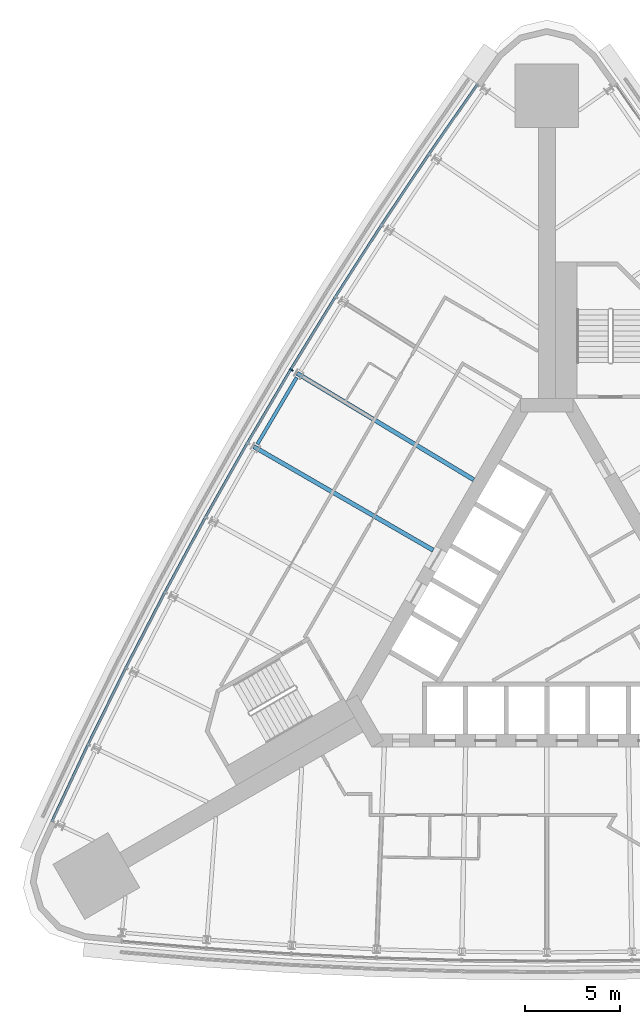
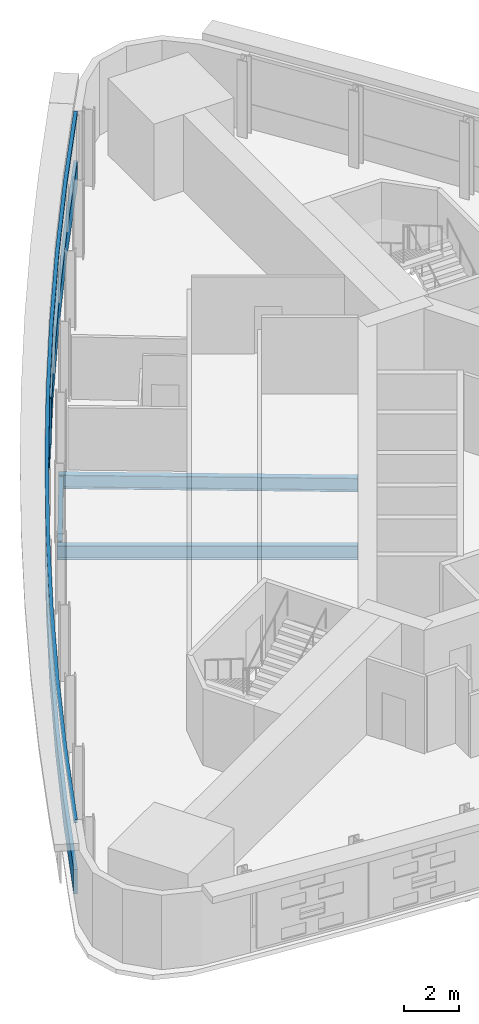
# One storey, part 5 of 14: 3 beams, 3 members, 1 element without a shape of its own.
"""IFC4 building model written with IfcOpenShell, lengths in metres."""

from ifc_helpers import new_model, si_unit, direction, frame, origin, origin_2d, place, context, subcontext, project, spatial, polyline, rectangle, i_section, outline, extrude, material, material_profile, profile_set, type_object, element, aggregate, save


model = new_model("IFC4")

# Units and contexts
model_context = context("Model", 3, precision=1e-05, world=origin(), true_north=direction((0.0, 1.0)))
body_context = subcontext(model_context, "Body", "Model", "MODEL_VIEW")
ifc_project = project(units=[si_unit("LENGTHUNIT", "METRE"), si_unit("AREAUNIT", "SQUARE_METRE"), si_unit("VOLUMEUNIT", "CUBIC_METRE"), si_unit("PLANEANGLEUNIT", "RADIAN"), si_unit("MASSUNIT", "GRAM", prefix="KILO")], contexts=[model_context])

# Site, building, storey
site_placement = place(None, origin())
site = spatial("IfcSite", under=ifc_project, at=site_placement, CompositionType="ELEMENT")
building_placement = place(site_placement, origin())
building = spatial("IfcBuilding", under=site, at=building_placement, Name="Noor Cloister Tower", CompositionType="ELEMENT")
storey_placement = place(building_placement, frame((0.0, 0.0, 34.800048828125)))
storey = spatial("IfcBuildingStorey", under=building, at=storey_placement, Name="L08", CompositionType="ELEMENT", Elevation=34.800048828125)

# Curtain wall, members
ifc_material_1 = material(Name="Aluminium 6063-T6 anodised", Category="aluminium")
curtain_wall_type = type_object("IfcCurtainWallType", Name="Ribbon curtain wall, lower tower CW1", PredefinedType="NOTDEFINED", material=ifc_material_1)
curtain_wall_placement = place(storey_placement, origin())
curtain_wall = element("IfcCurtainWall", 1, at=curtain_wall_placement, inside=storey, type_object=curtain_wall_type, Name="CW1 L08 NW run 1", PredefinedType="NOTDEFINED")
ifc_material_2 = material(Name="Aluminium 6063-T6 anodised", Category="aluminium")
member_type_1 = type_object("IfcMemberType", Name="Head transom CW1 150", PredefinedType="USERDEFINED", material=ifc_material_2)
member_1_placement = place(storey_placement, frame((0.0, 0.0, 3.14990234375)))
member_1 = element("IfcMember", 2, at=member_1_placement, type_object=member_type_1, Name="CW1 head transom", ObjectType="TRANSOM", PredefinedType="USERDEFINED", context=body_context, shape_type="SweptSolid", body=[
    extrude(outline(polyline([(-3.708984375, 28.084228515625), (-6.279052734375, 24.390380859375), (-8.779296875, 20.64892578125), (-11.209228515625, 16.861572265625), (-13.56787109375, 13.029296875), (-15.854248046875, 9.1533203125), (-18.067626953125, 5.2353515625), (-20.207275390625, 1.27685546875), (-22.272216796875, -2.721435546875), (-24.26220703125, -6.75732421875), (-26.176025390625, -10.830078125), (-26.04931640625, -10.8896484375), (-24.135986328125, -6.818115234375), (-22.147216796875, -2.784423828125), (-20.08349609375, 1.21142578125), (-17.945068359375, 5.167724609375), (-15.73291015625, 9.08349609375), (-13.447998046875, 12.95703125), (-11.0908203125, 16.787109375), (-8.662353515625, 20.572265625), (-6.163330078125, 24.3115234375), (-3.593994140625, 28.004150390625), (-3.708984375, 28.084228515625)])), origin(), (0.0, 0.0, 1.0), 0.150146484375),
])
ifc_material_3 = material(Name="Aluminium 6063-T6 anodised", Category="aluminium")
ifc_material_profile_1 = material_profile(ifc_material_3, rectangle(XDim=0.199951171875, YDim=0.080078125, at=origin_2d()), Name="200 x 80 mullion")
ifc_profile_set_1 = profile_set([ifc_material_profile_1], Name="Aluminium 6063-T6 anodised")
member_type_2 = type_object("IfcMemberType", Name="Mullion CW1 80 x 200", PredefinedType="MULLION", material=ifc_profile_set_1)
member_2_placement = place(storey_placement, frame((-13.482177734375, 12.9775390625, 1.099853515625), z_axis=(0.0, 0.0, 1.0), x_axis=(0.856510382098, -0.51612979507, 0.0)))
member_2 = element("IfcMember", 3, at=member_2_placement, type_object=member_type_2, Name="CW1 mullion 5", PredefinedType="MULLION", context=body_context, shape_type="SweptSolid", body=[
    extrude(rectangle(XDim=0.199951171875, YDim=0.080078125, at=origin_2d()), origin(), (0.0, 0.0, 1.0), 2.050048828125),
])

# Beams
ifc_material_4 = material(Name="Steel ASTM A992 Gr 50", Category="steel")
ifc_material_profile_2 = material_profile(ifc_material_4, i_section(OverallWidth=0.22900390625, OverallDepth=0.612060546875, WebThickness=0.011962890625, FlangeThickness=0.01953125, FilletRadius=0.0126953125, at=origin_2d()), Name="W610x125")
ifc_profile_set_2 = profile_set([ifc_material_profile_2], Name="Steel ASTM A992 Gr 50")
beam_type_1 = type_object("IfcBeamType", Name="Radial beam W610x125", PredefinedType="BEAM", material=ifc_profile_set_2)
beam_1_placement = place(storey_placement, frame((-13.1796875, 12.79541015625, -0.506103515625), z_axis=(0.856505836488, -0.516137338372, 0.0), x_axis=(0.516137338372, 0.856505836488, 0.0)))
element("IfcBeam", 4, at=beam_1_placement, inside=storey, type_object=beam_type_1, Name="Radial beam NW 05 L08", PredefinedType="BEAM", context=body_context, shape_type="SweptSolid", body=[
    extrude(i_section(OverallWidth=0.22900390625, OverallDepth=0.612060546875, WebThickness=0.011962890625, FlangeThickness=0.01953125, FilletRadius=0.0126953125, at=origin_2d()), origin(), (0.0, 0.0, 1.0), 10.885498046875),
])
beam_2_placement = place(storey_placement, frame((-15.4619140625, 8.927001953125, -0.506103515625), z_axis=(0.866023343127, -0.500003569146, 0.0), x_axis=(0.500003569146, 0.866023343127, 0.0)))
element("IfcBeam", 5, at=beam_2_placement, inside=storey, type_object=beam_type_1, Name="Radial beam NW 06 L08", PredefinedType="BEAM", context=body_context, shape_type="SweptSolid", body=[
    extrude(i_section(OverallWidth=0.22900390625, OverallDepth=0.612060546875, WebThickness=0.011962890625, FlangeThickness=0.01953125, FilletRadius=0.0126953125, at=origin_2d()), origin(), (0.0, 0.0, 1.0), 10.92578125),
])

# Member
ifc_material_5 = material(Name="Aluminium 6063-T6 anodised", Category="aluminium")
member_type_3 = type_object("IfcMemberType", Name="Sill transom CW1 1100", PredefinedType="USERDEFINED", material=ifc_material_5)
member_3_placement = place(storey_placement, origin())
member_3 = element("IfcMember", 6, at=member_3_placement, type_object=member_type_3, Name="CW1 sill transom", ObjectType="TRANSOM", PredefinedType="USERDEFINED", context=body_context, shape_type="SweptSolid", body=[
    extrude(outline(polyline([(-3.708984375, 28.084228515625), (-6.279052734375, 24.390380859375), (-8.779296875, 20.64892578125), (-11.209228515625, 16.861572265625), (-13.56787109375, 13.029296875), (-15.854248046875, 9.1533203125), (-18.067626953125, 5.2353515625), (-20.207275390625, 1.27685546875), (-22.272216796875, -2.721435546875), (-24.26220703125, -6.75732421875), (-26.176025390625, -10.830078125), (-26.04931640625, -10.8896484375), (-24.135986328125, -6.818115234375), (-22.147216796875, -2.784423828125), (-20.08349609375, 1.21142578125), (-17.945068359375, 5.167724609375), (-15.73291015625, 9.08349609375), (-13.447998046875, 12.95703125), (-11.0908203125, 16.787109375), (-8.662353515625, 20.572265625), (-6.163330078125, 24.3115234375), (-3.593994140625, 28.004150390625), (-3.708984375, 28.084228515625)])), origin(), (0.0, 0.0, 1.0), 1.099853515625),
])

aggregate(curtain_wall, [member_2, member_3, member_1])

# Beam
ifc_material_6 = material(Name="Steel ASTM A992 Gr 50", Category="steel")
ifc_material_profile_3 = material_profile(ifc_material_6, i_section(OverallWidth=0.177978515625, OverallDepth=0.406005859375, WebThickness=0.0078125, FlangeThickness=0.0126953125, FilletRadius=0.01025390625, at=origin_2d()), Name="W410x60")
ifc_profile_set_3 = profile_set([ifc_material_profile_3], Name="Steel ASTM A992 Gr 50")
beam_type_2 = type_object("IfcBeamType", Name="Spandrel beam W410x60", PredefinedType="SPANDREL", material=ifc_profile_set_3)
beam_3_placement = place(storey_placement, frame((-13.199462890625, 12.5712890625, -0.403076171875), z_axis=(-0.508074831261, -0.861312931424, 0.0), x_axis=(0.861312931424, -0.508074831261, 0.0)))
element("IfcBeam", 7, at=beam_3_placement, inside=storey, type_object=beam_type_2, Name="Spandrel beam NW 05 L08", PredefinedType="SPANDREL", context=body_context, shape_type="SweptSolid", body=[
    extrude(i_section(OverallWidth=0.177978515625, OverallDepth=0.406005859375, WebThickness=0.0078125, FlangeThickness=0.0126953125, FilletRadius=0.01025390625, at=origin_2d()), origin(), (0.0, 0.0, 1.0), 4.08544921875),
])

save(model, "model.ifc")
